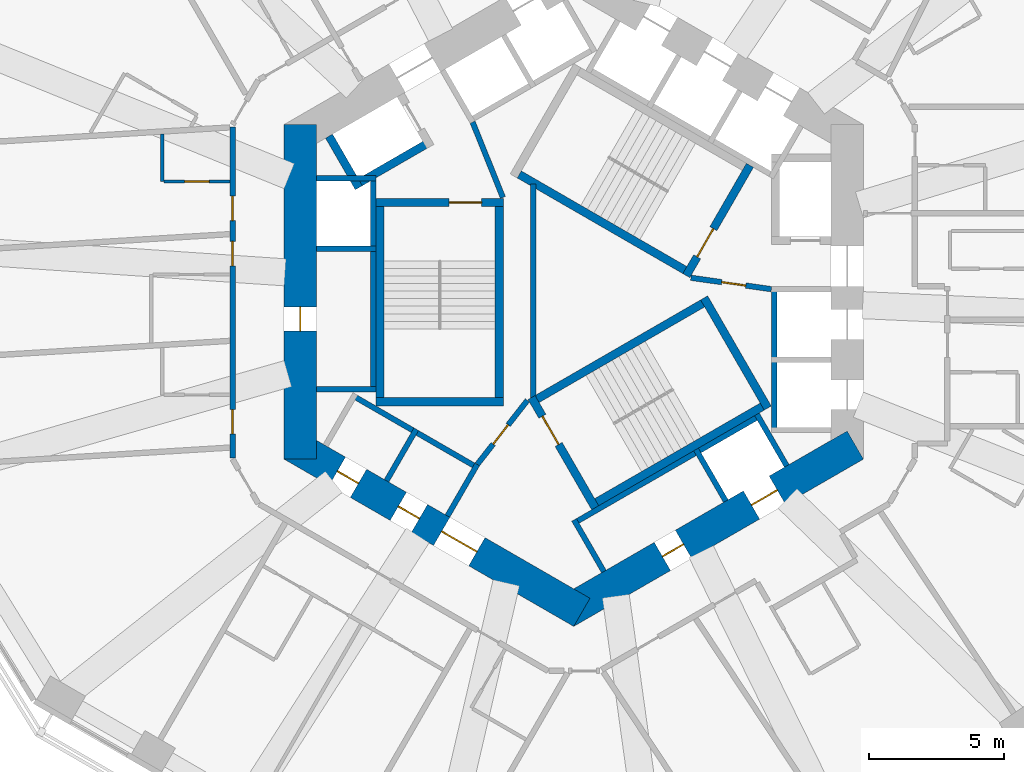
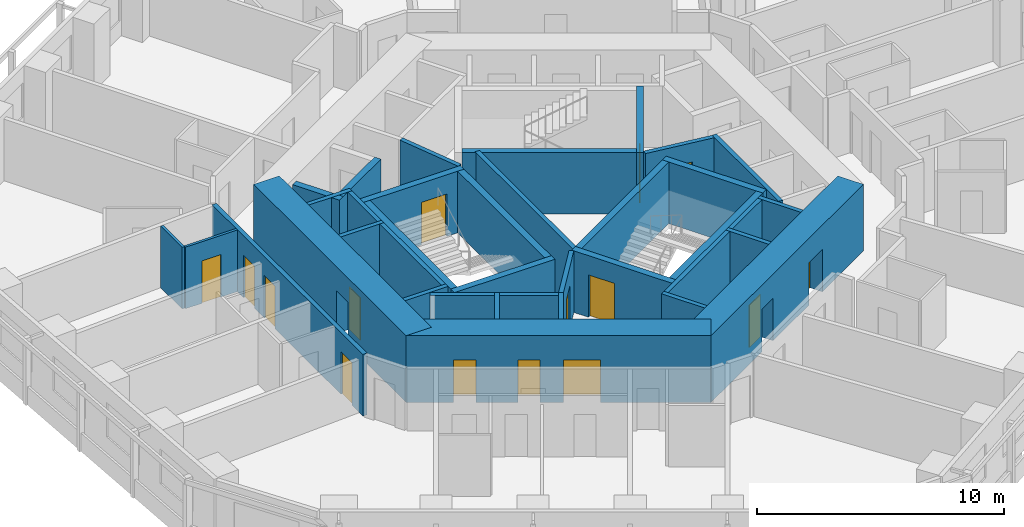
# One storey, part 5 of 12: 34 walls, 15 doors, 15 openings.
"""IFC4 building model written with IfcOpenShell, lengths in metres."""

from ifc_helpers import new_model, si_unit, direction, frame, frame_2d, origin, place, context, subcontext, project, spatial, rectangle, extrude, material, layer, layer_set, type_object, element, fill, save


model = new_model("IFC4")

# Units and contexts
model_context = context("Model", 3, precision=1e-05, world=origin(), true_north=direction((0.0, 1.0)))
body_context = subcontext(model_context, "Body", "Model", "MODEL_VIEW")
ifc_project = project(units=[si_unit("LENGTHUNIT", "METRE"), si_unit("AREAUNIT", "SQUARE_METRE"), si_unit("VOLUMEUNIT", "CUBIC_METRE"), si_unit("PLANEANGLEUNIT", "RADIAN"), si_unit("MASSUNIT", "GRAM", prefix="KILO")], contexts=[model_context])

# Site, building, storey
site_placement = place(None, origin())
site = spatial("IfcSite", under=ifc_project, at=site_placement, CompositionType="ELEMENT")
building_placement = place(site_placement, origin())
building = spatial("IfcBuilding", under=site, at=building_placement, Name="Vanh Sen Convention Tower", CompositionType="ELEMENT")
storey_placement = place(building_placement, frame((0.0, 0.0, 53.89990234375)))
storey = spatial("IfcBuildingStorey", under=building, at=storey_placement, Name="L10", CompositionType="ELEMENT", Elevation=53.89990234375)

# Wall
ifc_material_1 = material(Name="Moisture-resistant gypsum board on steel studs", Category="steel")
ifc_layer_1 = layer(ifc_material_1, 0.1201171875)
ifc_layer_set_1 = layer_set([ifc_layer_1], Name="Moisture-resistant gypsum board on steel studs")
wall_type_1 = type_object("IfcWallType", Name="Bathroom partition 120", PredefinedType="PARTITIONING", material=ifc_layer_set_1)
wall_1_placement = place(storey_placement, frame((-15.199951171875, 4.081298828125, 0.0), z_axis=(0.0, 0.0, 1.0), x_axis=(0.0, 1.0, 0.0)))
element("IfcWall", 1, at=wall_1_placement, inside=storey, type_object=wall_type_1, Name="Bathroom partition 120", PredefinedType="PARTITIONING", context=body_context, shape_type="SweptSolid", body=[
    extrude(rectangle(XDim=1.740966796875, YDim=0.1201171875, at=frame_2d((0.87060546875, 0.0))), origin(), (0.0, 0.0, 1.0), 3.050048828125),
])

# Wall, opening, door
wall_2_placement = place(storey_placement, frame((-12.699951171875, 4.081298828125, 0.0), z_axis=(0.0, 0.0, 1.0), x_axis=(-1.0, 0.0, 0.0)))
wall_2 = element("IfcWall", 2, at=wall_2_placement, inside=storey, type_object=wall_type_1, Name="Bathroom partition 120", PredefinedType="PARTITIONING", context=body_context, shape_type="SweptSolid", body=[
    extrude(rectangle(XDim=2.43994140625, YDim=0.1201171875, at=frame_2d((1.219970703125, 0.0))), origin(), (0.0, 0.0, 1.0), 3.050048828125),
])
opening_1_placement = place(wall_2_placement, frame((0.77001953125, 0.0, 0.0)))
opening_1 = element("IfcOpeningElement", 3, at=opening_1_placement, cuts=wall_2, Name="Opening D10121", PredefinedType="OPENING", context=body_context, shape_type="SweptSolid", body=[
    extrude(rectangle(XDim=0.89990234375, YDim=2.10009765625, at=frame_2d((0.449951171875, 1.050048828125))), frame((0.0, 0.070068359375, 0.0), z_axis=(0.0, -1.0, 0.0), x_axis=(1.0, 0.0, 0.0)), (0.0, 0.0, 1.0), 0.14013671875),
])
ifc_material_2 = material(Name="Laminate door in steel frame", Category="steel")
door_type_1 = type_object("IfcDoorType", Name="En-suite door 900", OperationType="SINGLE_SWING_LEFT", PredefinedType="DOOR", material=ifc_material_2)
door_1_placement = place(opening_1_placement, origin())
door_1 = element("IfcDoor", 4, at=door_1_placement, inside=storey, type_object=door_type_1, Name="En-suite door D10121", OperationType="SINGLE_SWING_LEFT", OverallHeight=2.10009765625, OverallWidth=0.89990234375, PredefinedType="DOOR", context=body_context, shape_type="SweptSolid", body=[
    extrude(rectangle(XDim=0.89990234375, YDim=2.10009765625, at=frame_2d((0.449951171875, 1.050048828125))), frame((0.0, 0.02490234375, 0.0), z_axis=(0.0, -1.0, 0.0), x_axis=(1.0, 0.0, 0.0)), (0.0, 0.0, 1.0), 0.050048828125),
])
fill(opening_1, door_1)

ifc_material_3 = material(Name="Concrete C80/95", Category="concrete")
ifc_layer_2 = layer(ifc_material_3, 1.199951171875)
ifc_layer_set_2 = layer_set([ifc_layer_2], Name="Concrete C80/95")
wall_type_2 = type_object("IfcWallType", Name="Core outer wall 1200 C80/95", PredefinedType="SHEAR", material=ifc_layer_set_2)
wall_3_placement = place(storey_placement, frame((-10.10009765625, 6.177490234375, 0.0), z_axis=(0.0, 0.0, 1.0), x_axis=(0.0, -1.0, 0.0)))
wall_3 = element("IfcWall", 5, at=wall_3_placement, inside=storey, type_object=wall_type_2, Name="Core wall face W L10", PredefinedType="SHEAR", context=body_context, shape_type="SweptSolid", body=[
    extrude(rectangle(XDim=12.35498046875, YDim=1.199951171875, at=frame_2d((6.177490234375, 0.0))), origin(), (0.0, 0.0, 1.0), 3.300048828125),
])
opening_2_placement = place(wall_3_placement, frame((6.7275390625, 0.0, 0.0)))
opening_2 = element("IfcOpeningElement", 6, at=opening_2_placement, cuts=wall_3, Name="Opening D10009", PredefinedType="OPENING", context=body_context, shape_type="SweptSolid", body=[
    extrude(rectangle(XDim=0.89990234375, YDim=2.10009765625, at=frame_2d((0.449951171875, 1.050048828125))), frame((0.0, 0.60986328125, 0.0), z_axis=(0.0, -1.0, 0.0), x_axis=(1.0, 0.0, 0.0)), (0.0, 0.0, 1.0), 1.219970703125),
])
ifc_material_4 = material(Name="Steel S355", Category="steel")
door_type_2 = type_object("IfcDoorType", Name="Plant door 900", OperationType="SINGLE_SWING_LEFT", PredefinedType="DOOR", material=ifc_material_4)
door_2_placement = place(opening_2_placement, origin())
door_2 = element("IfcDoor", 7, at=door_2_placement, inside=storey, type_object=door_type_2, Name="Plant door D10009", OperationType="SINGLE_SWING_LEFT", OverallHeight=2.10009765625, OverallWidth=0.89990234375, PredefinedType="DOOR", context=body_context, shape_type="SweptSolid", body=[
    extrude(rectangle(XDim=0.89990234375, YDim=2.10009765625, at=frame_2d((0.449951171875, 1.050048828125))), frame((0.0, 0.02490234375, 0.0), z_axis=(0.0, -1.0, 0.0), x_axis=(1.0, 0.0, 0.0)), (0.0, 0.0, 1.0), 0.050048828125),
])
fill(opening_2, door_2)

# Wall, openings, doors
wall_4_placement = place(storey_placement, frame((-10.39990234375, -5.657958984375, 0.0), z_axis=(0.0, 0.0, 1.0), x_axis=(0.866021384402, -0.500006961711, 0.0)))
wall_4 = element("IfcWall", 8, at=wall_4_placement, inside=storey, type_object=wall_type_2, Name="Core wall face SW L10", PredefinedType="SHEAR", context=body_context, shape_type="SweptSolid", body=[
    extrude(rectangle(XDim=12.355224609375, YDim=1.199951171875, at=frame_2d((6.177734375, 0.0))), origin(), (0.0, 0.0, 1.0), 3.300048828125),
])
opening_3_placement = place(wall_4_placement, frame((6.377685546875, 0.0, 0.0)))
opening_3 = element("IfcOpeningElement", 9, at=opening_3_placement, cuts=wall_4, Name="Opening D10003", PredefinedType="OPENING", context=body_context, shape_type="SweptSolid", body=[
    extrude(rectangle(XDim=1.5, YDim=2.10009765625, at=frame_2d((0.75, 1.050048828125))), frame((0.0, 0.60986328125, 0.0), z_axis=(0.0, -1.0, 0.0), x_axis=(1.0, 0.0, 0.0)), (0.0, 0.0, 1.0), 1.219970703125),
])
opening_4_placement = place(wall_4_placement, frame((1.927734375, 0.0, 0.0)))
opening_4 = element("IfcOpeningElement", 10, at=opening_4_placement, cuts=wall_4, Name="Opening D10010", PredefinedType="OPENING", context=body_context, shape_type="SweptSolid", body=[
    extrude(rectangle(XDim=0.89990234375, YDim=2.10009765625, at=frame_2d((0.449951171875, 1.050048828125))), frame((0.0, 0.60986328125, 0.0), z_axis=(0.0, -1.0, 0.0), x_axis=(1.0, 0.0, 0.0)), (0.0, 0.0, 1.0), 1.219970703125),
])
opening_5_placement = place(wall_4_placement, frame((4.527587890625, 0.0, 0.0)))
opening_5 = element("IfcOpeningElement", 11, at=opening_5_placement, cuts=wall_4, Name="Opening D10011", PredefinedType="OPENING", context=body_context, shape_type="SweptSolid", body=[
    extrude(rectangle(XDim=0.89990234375, YDim=2.10009765625, at=frame_2d((0.449951171875, 1.050048828125))), frame((0.0, 0.60986328125, 0.0), z_axis=(0.0, -1.0, 0.0), x_axis=(1.0, 0.0, 0.0)), (0.0, 0.0, 1.0), 1.219970703125),
])
door_3_placement = place(opening_4_placement, origin())
door_3 = element("IfcDoor", 12, at=door_3_placement, inside=storey, type_object=door_type_2, Name="Plant door D10010", OperationType="SINGLE_SWING_LEFT", OverallHeight=2.10009765625, OverallWidth=0.89990234375, PredefinedType="DOOR", context=body_context, shape_type="SweptSolid", body=[
    extrude(rectangle(XDim=0.89990234375, YDim=2.10009765625, at=frame_2d((0.449951171875, 1.050048828125))), frame((0.0, 0.02490234375, 0.0), z_axis=(0.0, -1.0, 0.0), x_axis=(1.0, 0.0, 0.0)), (0.0, 0.0, 1.0), 0.050048828125),
])
fill(opening_4, door_3)
door_4_placement = place(opening_5_placement, origin())
door_4 = element("IfcDoor", 13, at=door_4_placement, inside=storey, type_object=door_type_2, Name="Plant door D10011", OperationType="SINGLE_SWING_LEFT", OverallHeight=2.10009765625, OverallWidth=0.89990234375, PredefinedType="DOOR", context=body_context, shape_type="SweptSolid", body=[
    extrude(rectangle(XDim=0.89990234375, YDim=2.10009765625, at=frame_2d((0.449951171875, 1.050048828125))), frame((0.0, 0.02490234375, 0.0), z_axis=(0.0, -1.0, 0.0), x_axis=(1.0, 0.0, 0.0)), (0.0, 0.0, 1.0), 0.050048828125),
])
fill(opening_5, door_4)
door_type_3 = type_object("IfcDoorType", Name="Stair lobby door 1500", OperationType="DOUBLE_DOOR_SINGLE_SWING", PredefinedType="DOOR", material=ifc_material_4)
door_5_placement = place(opening_3_placement, origin())
door_5 = element("IfcDoor", 14, at=door_5_placement, inside=storey, type_object=door_type_3, Name="Stair lobby door D10003", OperationType="DOUBLE_DOOR_SINGLE_SWING", OverallHeight=2.10009765625, OverallWidth=1.5, PredefinedType="DOOR", context=body_context, shape_type="SweptSolid", body=[
    extrude(rectangle(XDim=1.5, YDim=2.10009765625, at=frame_2d((0.75, 1.050048828125))), frame((0.0, 0.02490234375, 0.0), z_axis=(0.0, -1.0, 0.0), x_axis=(1.0, 0.0, 0.0)), (0.0, 0.0, 1.0), 0.050048828125),
])
fill(opening_3, door_5)

wall_5_placement = place(storey_placement, frame((-0.300048828125, -11.835693359375, 0.0), z_axis=(0.0, 0.0, 1.0), x_axis=(0.866021384402, 0.500006961711, 0.0)))
wall_5 = element("IfcWall", 15, at=wall_5_placement, inside=storey, type_object=wall_type_2, Name="Core wall face SE L10", PredefinedType="SHEAR", context=body_context, shape_type="SweptSolid", body=[
    extrude(rectangle(XDim=12.355224609375, YDim=1.199951171875, at=frame_2d((6.177734375, 0.0))), origin(), (0.0, 0.0, 1.0), 3.300048828125),
])
opening_6_placement = place(wall_5_placement, frame((4.127685546875, 0.0, 0.0)))
opening_6 = element("IfcOpeningElement", 16, at=opening_6_placement, cuts=wall_5, Name="Opening D10012", PredefinedType="OPENING", context=body_context, shape_type="SweptSolid", body=[
    extrude(rectangle(XDim=0.89990234375, YDim=2.10009765625, at=frame_2d((0.449951171875, 1.050048828125))), frame((0.0, 0.60986328125, 0.0), z_axis=(0.0, -1.0, 0.0), x_axis=(1.0, 0.0, 0.0)), (0.0, 0.0, 1.0), 1.219970703125),
])
opening_7_placement = place(wall_5_placement, frame((7.927734375, 0.0, 0.0)))
opening_7 = element("IfcOpeningElement", 17, at=opening_7_placement, cuts=wall_5, Name="Opening LD-SV1", PredefinedType="OPENING", context=body_context, shape_type="SweptSolid", body=[
    extrude(rectangle(XDim=1.10009765625, YDim=2.10009765625, at=frame_2d((0.550048828125, 1.050048828125))), frame((0.0, 0.60986328125, 0.0), z_axis=(0.0, -1.0, 0.0), x_axis=(1.0, 0.0, 0.0)), (0.0, 0.0, 1.0), 1.219970703125),
])
ifc_material_5 = material(Name="Stainless steel", Category="steel")
door_type_4 = type_object("IfcDoorType", Name="Lift landing door 1100", OperationType="DOUBLE_DOOR_SLIDING", PredefinedType="DOOR", material=ifc_material_5)
door_6_placement = place(opening_7_placement, origin())
door_6 = element("IfcDoor", 18, at=door_6_placement, inside=storey, type_object=door_type_4, Name="Lift SV1 landing door LD-SV1", OperationType="DOUBLE_DOOR_SLIDING", OverallHeight=2.10009765625, OverallWidth=1.10009765625, PredefinedType="DOOR", context=body_context, shape_type="SweptSolid", body=[
    extrude(rectangle(XDim=1.10009765625, YDim=2.10009765625, at=frame_2d((0.550048828125, 1.050048828125))), frame((0.0, 0.02490234375, 0.0), z_axis=(0.0, -1.0, 0.0), x_axis=(1.0, 0.0, 0.0)), (0.0, 0.0, 1.0), 0.050048828125),
])
fill(opening_7, door_6)
door_7_placement = place(opening_6_placement, origin())
door_7 = element("IfcDoor", 19, at=door_7_placement, inside=storey, type_object=door_type_2, Name="Plant door D10012", OperationType="SINGLE_SWING_LEFT", OverallHeight=2.10009765625, OverallWidth=0.89990234375, PredefinedType="DOOR", context=body_context, shape_type="SweptSolid", body=[
    extrude(rectangle(XDim=0.89990234375, YDim=2.10009765625, at=frame_2d((0.449951171875, 1.050048828125))), frame((0.0, 0.02490234375, 0.0), z_axis=(0.0, -1.0, 0.0), x_axis=(1.0, 0.0, 0.0)), (0.0, 0.0, 1.0), 0.050048828125),
])
fill(opening_6, door_7)

# Wall
ifc_material_6 = material(Name="Masonry blockwork", Category="masonry")
ifc_layer_3 = layer(ifc_material_6, 0.199951171875)
ifc_layer_set_3 = layer_set([ifc_layer_3], Name="Masonry blockwork")
wall_type_3 = type_object("IfcWallType", Name="Core partition 200", PredefinedType="PARTITIONING", material=ifc_layer_set_3)
wall_6_placement = place(storey_placement, frame((-1.5, -3.98828125, 0.0), z_axis=(0.0, 0.0, 1.0), x_axis=(0.0, 1.0, 0.0)))
element("IfcWall", 20, at=wall_6_placement, inside=storey, type_object=wall_type_3, Name="Core partition L10", PredefinedType="PARTITIONING", context=body_context, shape_type="SweptSolid", body=[
    extrude(rectangle(XDim=7.9765625, YDim=0.199951171875, at=frame_2d((3.98828125, 0.0))), origin(), (0.0, 0.0, 1.0), 3.050048828125),
])

# Wall, openings, doors
ifc_material_7 = material(Name="Gypsum board on steel studs with mineral wool", Category="steel")
ifc_layer_4 = layer(ifc_material_7, 0.199951171875)
ifc_layer_set_4 = layer_set([ifc_layer_4], Name="Gypsum board on steel studs with mineral wool")
wall_type_4 = type_object("IfcWallType", Name="Corridor partition wall 200", PredefinedType="PARTITIONING", material=ifc_layer_set_4)
wall_7_placement = place(storey_placement, frame((-12.60009765625, 6.081298828125, 0.0), z_axis=(0.0, 0.0, 1.0), x_axis=(0.0, -1.0, 0.0)))
wall_7 = element("IfcWall", 21, at=wall_7_placement, inside=storey, type_object=wall_type_4, Name="Corridor partition wall 200", PredefinedType="PARTITIONING", context=body_context, shape_type="SweptSolid", body=[
    extrude(rectangle(XDim=12.218994140625, YDim=0.199951171875, at=frame_2d((6.109375, 0.0))), origin(), (0.0, 0.0, 1.0), 3.050048828125),
])
opening_8_placement = place(wall_7_placement, frame((2.5458984375, 0.0, 0.0)))
opening_8 = element("IfcOpeningElement", 22, at=opening_8_placement, cuts=wall_7, Name="Opening D10120", PredefinedType="OPENING", context=body_context, shape_type="SweptSolid", body=[
    extrude(rectangle(XDim=0.89990234375, YDim=2.10009765625, at=frame_2d((0.449951171875, 1.050048828125))), frame((0.0, 0.10986328125, 0.0), z_axis=(0.0, -1.0, 0.0), x_axis=(1.0, 0.0, 0.0)), (0.0, 0.0, 1.0), 0.219970703125),
])
opening_9_placement = place(wall_7_placement, frame((4.216796875, 0.0, 0.0)))
opening_9 = element("IfcOpeningElement", 23, at=opening_9_placement, cuts=wall_7, Name="Opening D10122", PredefinedType="OPENING", context=body_context, shape_type="SweptSolid", body=[
    extrude(rectangle(XDim=0.89990234375, YDim=2.10009765625, at=frame_2d((0.449951171875, 1.050048828125))), frame((0.0, 0.10986328125, 0.0), z_axis=(0.0, -1.0, 0.0), x_axis=(1.0, 0.0, 0.0)), (0.0, 0.0, 1.0), 0.219970703125),
])
opening_10_placement = place(wall_7_placement, frame((10.4296875, 0.0, 0.0)))
opening_10 = element("IfcOpeningElement", 24, at=opening_10_placement, cuts=wall_7, Name="Opening D10124", PredefinedType="OPENING", context=body_context, shape_type="SweptSolid", body=[
    extrude(rectangle(XDim=0.89990234375, YDim=2.10009765625, at=frame_2d((0.449951171875, 1.050048828125))), frame((0.0, 0.10986328125, 0.0), z_axis=(0.0, -1.0, 0.0), x_axis=(1.0, 0.0, 0.0)), (0.0, 0.0, 1.0), 0.219970703125),
])
ifc_material_8 = material(Name="Timber fire door in steel frame", Category="steel")
door_type_5 = type_object("IfcDoorType", Name="Guest room door 900", OperationType="SINGLE_SWING_LEFT", PredefinedType="DOOR", material=ifc_material_8)
door_8_placement = place(opening_8_placement, origin())
door_8 = element("IfcDoor", 25, at=door_8_placement, inside=storey, type_object=door_type_5, Name="Hotel guest room door D10120", OperationType="SINGLE_SWING_LEFT", OverallHeight=2.10009765625, OverallWidth=0.89990234375, PredefinedType="DOOR", context=body_context, shape_type="SweptSolid", body=[
    extrude(rectangle(XDim=0.89990234375, YDim=2.10009765625, at=frame_2d((0.449951171875, 1.050048828125))), frame((0.0, 0.02490234375, 0.0), z_axis=(0.0, -1.0, 0.0), x_axis=(1.0, 0.0, 0.0)), (0.0, 0.0, 1.0), 0.050048828125),
])
fill(opening_8, door_8)
door_9_placement = place(opening_9_placement, origin())
door_9 = element("IfcDoor", 26, at=door_9_placement, inside=storey, type_object=door_type_5, Name="Hotel guest room door D10122", OperationType="SINGLE_SWING_LEFT", OverallHeight=2.10009765625, OverallWidth=0.89990234375, PredefinedType="DOOR", context=body_context, shape_type="SweptSolid", body=[
    extrude(rectangle(XDim=0.89990234375, YDim=2.10009765625, at=frame_2d((0.449951171875, 1.050048828125))), frame((0.0, 0.02490234375, 0.0), z_axis=(0.0, -1.0, 0.0), x_axis=(1.0, 0.0, 0.0)), (0.0, 0.0, 1.0), 0.050048828125),
])
fill(opening_9, door_9)
door_10_placement = place(opening_10_placement, origin())
door_10 = element("IfcDoor", 27, at=door_10_placement, inside=storey, type_object=door_type_5, Name="Hotel guest room door D10124", OperationType="SINGLE_SWING_LEFT", OverallHeight=2.10009765625, OverallWidth=0.89990234375, PredefinedType="DOOR", context=body_context, shape_type="SweptSolid", body=[
    extrude(rectangle(XDim=0.89990234375, YDim=2.10009765625, at=frame_2d((0.449951171875, 1.050048828125))), frame((0.0, 0.02490234375, 0.0), z_axis=(0.0, -1.0, 0.0), x_axis=(1.0, 0.0, 0.0)), (0.0, 0.0, 1.0), 0.050048828125),
])
fill(opening_10, door_10)

# Walls
ifc_material_9 = material(Name="Concrete C60/75", Category="concrete")
ifc_layer_5 = layer(ifc_material_9, 0.300048828125)
ifc_layer_set_5 = layer_set([ifc_layer_5], Name="Concrete C60/75")
wall_type_5 = type_object("IfcWallType", Name="Fire-fighting lift shaft wall 300", PredefinedType="SHEAR", material=ifc_layer_set_5)
wall_8_placement = place(storey_placement, frame((-5.240478515625, 5.576904296875, 0.0), z_axis=(0.0, 0.0, 1.0), x_axis=(-0.866014461049, -0.500018952895, 0.0)))
element("IfcWall", 28, at=wall_8_placement, inside=storey, type_object=wall_type_5, Name="Fire-fighting lift shaft wall L10", PredefinedType="SHEAR", context=body_context, shape_type="SweptSolid", body=[
    extrude(rectangle(XDim=3.349853515625, YDim=0.300048828125, at=frame_2d((1.6748046875, 0.0))), origin(), (0.0, 0.0, 1.0), 3.050048828125),
])
wall_9_placement = place(storey_placement, frame((-7.936767578125, 3.846923828125, 0.0), z_axis=(0.0, 0.0, 1.0), x_axis=(-0.50002983664, 0.866008176907, 0.0)))
element("IfcWall", 29, at=wall_9_placement, inside=storey, type_object=wall_type_5, Name="Fire-fighting lift shaft wall L10", PredefinedType="SHEAR", context=body_context, shape_type="SweptSolid", body=[
    extrude(rectangle(XDim=2.199951171875, YDim=0.300048828125, at=frame_2d((1.10009765625, 0.0))), origin(), (0.0, 0.0, 1.0), 3.050048828125),
])
ifc_material_10 = material(Name="Concrete C40/50", Category="concrete")
ifc_layer_6 = layer(ifc_material_10, 0.199951171875)
ifc_layer_set_6 = layer_set([ifc_layer_6], Name="Concrete C40/50")
wall_type_6 = type_object("IfcWallType", Name="Lift shaft wall 200", PredefinedType="PARTITIONING", material=ifc_layer_set_6)
wall_10_placement = place(storey_placement, frame((7.39990234375, -5.199951171875, 0.0), z_axis=(0.0, 0.0, 1.0), x_axis=(0.0, 1.0, 0.0)))
element("IfcWall", 30, at=wall_10_placement, inside=storey, type_object=wall_type_6, Name="Lift shaft wall L10", PredefinedType="PARTITIONING", context=body_context, shape_type="SweptSolid", body=[
    extrude(rectangle(XDim=5.39990234375, YDim=0.199951171875, at=frame_2d((2.699951171875, 0.0))), origin(), (0.0, 0.0, 1.0), 3.050048828125),
])
wall_11_placement = place(storey_placement, frame((-7.39990234375, 4.300048828125, 0.0), z_axis=(0.0, 0.0, 1.0), x_axis=(0.0, -1.0, 0.0)))
element("IfcWall", 31, at=wall_11_placement, inside=storey, type_object=wall_type_6, Name="Lift shaft wall L10", PredefinedType="PARTITIONING", context=body_context, shape_type="SweptSolid", body=[
    extrude(rectangle(XDim=8.0, YDim=0.199951171875, at=frame_2d((4.0, 0.0))), origin(), (0.0, 0.0, 1.0), 3.050048828125),
])
for number, where, z_axis, x_axis, name in (
    (32, (-7.300048828125, 4.199951171875, 0.0), (0.0, 0.0, 1.0), (-1.0, 0.0, 0.0), "Lift shaft wall L10"),
    (33, (-7.300048828125, 1.60009765625, 0.0), (0.0, 0.0, 1.0), (-1.0, 0.0, 0.0), "Lift shaft wall L10"),
    (34, (-7.300048828125, -3.60009765625, 0.0), (0.0, 0.0, 1.0), (-1.0, 0.0, 0.0), "Lift shaft wall L10"),
):
    element("IfcWall", number, at=place(storey_placement, frame(where, z_axis=z_axis, x_axis=x_axis)), inside=storey, type_object=wall_type_6, Name=name, PredefinedType="PARTITIONING", context=body_context, shape_type="SweptSolid", body=[
        extrude(rectangle(XDim=2.199951171875, YDim=0.199951171875, at=frame_2d((1.10009765625, 0.0))), origin(), (0.0, 0.0, 1.0), 3.050048828125),
    ])
wall_12_placement = place(storey_placement, frame((-8.203369140625, -3.80859375, 0.0), z_axis=(0.0, 0.0, 1.0), x_axis=(0.866028230842, -0.499995103361, 0.0)))
element("IfcWall", 35, at=wall_12_placement, inside=storey, type_object=wall_type_6, Name="Lift shaft wall L10", PredefinedType="PARTITIONING", context=body_context, shape_type="SweptSolid", body=[
    extrude(rectangle(XDim=5.39990234375, YDim=0.199951171875, at=frame_2d((2.699951171875, 0.0))), origin(), (0.0, 0.0, 1.0), 3.050048828125),
])
wall_13_placement = place(storey_placement, frame((-5.815185546875, -5.072021484375, 0.0), z_axis=(0.0, 0.0, 1.0), x_axis=(-0.499946605688, -0.86605622881, 0.0)))
element("IfcWall", 36, at=wall_13_placement, inside=storey, type_object=wall_type_6, Name="Lift shaft wall L10", PredefinedType="PARTITIONING", context=body_context, shape_type="SweptSolid", body=[
    extrude(rectangle(XDim=2.199951171875, YDim=0.199951171875, at=frame_2d((1.10009765625, 0.0))), origin(), (0.0, 0.0, 1.0), 3.050048828125),
])
wall_14_placement = place(storey_placement, frame((-3.5634765625, -6.3720703125, 0.0), z_axis=(0.0, 0.0, 1.0), x_axis=(-0.499994660107, -0.866028486751, 0.0)))
element("IfcWall", 37, at=wall_14_placement, inside=storey, type_object=wall_type_6, Name="Lift shaft wall L10", PredefinedType="PARTITIONING", context=body_context, shape_type="SweptSolid", body=[
    extrude(rectangle(XDim=2.19970703125, YDim=0.199951171875, at=frame_2d((1.099853515625, 0.0))), origin(), (0.0, 0.0, 1.0), 3.050048828125),
])
wall_15_placement = place(storey_placement, frame((-0.02392578125, -8.55859375, 0.0), z_axis=(0.0, 0.0, 1.0), x_axis=(0.866026010844, 0.49999894854, 0.0)))
element("IfcWall", 38, at=wall_15_placement, inside=storey, type_object=wall_type_6, Name="Lift shaft wall L10", PredefinedType="PARTITIONING", context=body_context, shape_type="SweptSolid", body=[
    extrude(rectangle(XDim=8.0, YDim=0.199951171875, at=frame_2d((4.0, 0.0))), origin(), (0.0, 0.0, 1.0), 3.050048828125),
])
for number, where, z_axis, x_axis, name in (
    (39, (0.0126953125, -8.422119140625, 0.0), (0.0, 0.0, 1.0), (0.500077893725, -0.86598042715, 0.0), "Lift shaft wall L10"),
    (40, (4.51611328125, -5.822021484375, 0.0), (0.0, 0.0, 1.0), (0.499946605688, -0.86605622881, 0.0), "Lift shaft wall L10"),
    (41, (6.767578125, -4.52197265625, 0.0), (0.0, 0.0, 1.0), (0.50002983664, -0.866008176907, 0.0), "Lift shaft wall L10"),
):
    element("IfcWall", number, at=place(storey_placement, frame(where, z_axis=z_axis, x_axis=x_axis)), inside=storey, type_object=wall_type_6, Name=name, PredefinedType="PARTITIONING", context=body_context, shape_type="SweptSolid", body=[
        extrude(rectangle(XDim=2.199951171875, YDim=0.199951171875, at=frame_2d((1.10009765625, 0.0))), origin(), (0.0, 0.0, 1.0), 3.050048828125),
    ])

# Wall, opening, door
ifc_layer_7 = layer(ifc_material_10, 0.199951171875)
ifc_layer_set_7 = layer_set([ifc_layer_7], Name="Concrete C40/50")
wall_type_7 = type_object("IfcWallType", Name="Stair lobby wall 200", PredefinedType="PARTITIONING", material=ifc_layer_set_7)
wall_16_placement = place(storey_placement, frame((4.327392578125, 0.52099609375, 0.0), z_axis=(0.0, 0.0, 1.0), x_axis=(0.990124376366, -0.14019172346, 0.0)))
wall_16 = element("IfcWall", 42, at=wall_16_placement, inside=storey, type_object=wall_type_7, Name="Stair lobby wall L10", PredefinedType="PARTITIONING", context=body_context, shape_type="SweptSolid", body=[
    extrude(rectangle(XDim=3.002197265625, YDim=0.199951171875, at=frame_2d((1.5009765625, 0.0))), origin(), (0.0, 0.0, 1.0), 3.050048828125),
])
opening_11_placement = place(wall_16_placement, frame((1.14990234375, 0.0, 0.0)))
opening_11 = element("IfcOpeningElement", 43, at=opening_11_placement, cuts=wall_16, Name="Opening D10007", PredefinedType="OPENING", context=body_context, shape_type="SweptSolid", body=[
    extrude(rectangle(XDim=0.89990234375, YDim=2.10009765625, at=frame_2d((0.449951171875, 1.050048828125))), frame((0.0, 0.10986328125, 0.0), z_axis=(0.0, -1.0, 0.0), x_axis=(1.0, 0.0, 0.0)), (0.0, 0.0, 1.0), 0.219970703125),
])
door_11_placement = place(opening_11_placement, origin())
door_11 = element("IfcDoor", 44, at=door_11_placement, inside=storey, type_object=door_type_2, Name="Plant door D10007", OperationType="SINGLE_SWING_LEFT", OverallHeight=2.10009765625, OverallWidth=0.89990234375, PredefinedType="DOOR", context=body_context, shape_type="SweptSolid", body=[
    extrude(rectangle(XDim=0.89990234375, YDim=2.10009765625, at=frame_2d((0.449951171875, 1.050048828125))), frame((0.0, 0.02490234375, 0.0), z_axis=(0.0, -1.0, 0.0), x_axis=(1.0, 0.0, 0.0)), (0.0, 0.0, 1.0), 0.050048828125),
])
fill(opening_11, door_11)

# Wall
wall_17_placement = place(storey_placement, frame((-2.614990234375, 3.487060546875, 0.0), z_axis=(0.0, 0.0, 1.0), x_axis=(-0.373576831041, 0.92759924068, 0.0)))
element("IfcWall", 45, at=wall_17_placement, inside=storey, type_object=wall_type_7, Name="Stair lobby wall L10", PredefinedType="PARTITIONING", context=body_context, shape_type="SweptSolid", body=[
    extrude(rectangle(XDim=3.002197265625, YDim=0.199951171875, at=frame_2d((1.5009765625, 0.0))), origin(), (0.0, 0.0, 1.0), 3.050048828125),
])

# Wall, opening, door
wall_18_placement = place(storey_placement, frame((-1.71240234375, -4.00830078125, 0.0), z_axis=(0.0, 0.0, 1.0), x_axis=(-0.616549420702, -0.787316208287, 0.0)))
wall_18 = element("IfcWall", 46, at=wall_18_placement, inside=storey, type_object=wall_type_7, Name="Stair lobby wall L10", PredefinedType="PARTITIONING", context=body_context, shape_type="SweptSolid", body=[
    extrude(rectangle(XDim=3.002197265625, YDim=0.199951171875, at=frame_2d((1.5009765625, 0.0))), origin(), (0.0, 0.0, 1.0), 3.050048828125),
])
opening_12_placement = place(wall_18_placement, frame((1.14990234375, 0.0, 0.0)))
opening_12 = element("IfcOpeningElement", 47, at=opening_12_placement, cuts=wall_18, Name="Opening D10008", PredefinedType="OPENING", context=body_context, shape_type="SweptSolid", body=[
    extrude(rectangle(XDim=0.89990234375, YDim=2.10009765625, at=frame_2d((0.449951171875, 1.050048828125))), frame((0.0, 0.10986328125, 0.0), z_axis=(0.0, -1.0, 0.0), x_axis=(1.0, 0.0, 0.0)), (0.0, 0.0, 1.0), 0.219970703125),
])
door_12_placement = place(opening_12_placement, origin())
door_12 = element("IfcDoor", 48, at=door_12_placement, inside=storey, type_object=door_type_2, Name="Plant door D10008", OperationType="SINGLE_SWING_LEFT", OverallHeight=2.10009765625, OverallWidth=0.89990234375, PredefinedType="DOOR", context=body_context, shape_type="SweptSolid", body=[
    extrude(rectangle(XDim=0.89990234375, YDim=2.10009765625, at=frame_2d((0.449951171875, 1.050048828125))), frame((0.0, 0.02490234375, 0.0), z_axis=(0.0, -1.0, 0.0), x_axis=(1.0, 0.0, 0.0)), (0.0, 0.0, 1.0), 0.050048828125),
])
fill(opening_12, door_12)

ifc_layer_8 = layer(ifc_material_9, 0.300048828125)
ifc_layer_set_8 = layer_set([ifc_layer_8], Name="Concrete C60/75")
wall_type_8 = type_object("IfcWallType", Name="Stair wall 300", PredefinedType="SHEAR", material=ifc_layer_set_8)
wall_19_placement = place(storey_placement, frame((4.157958984375, 0.601806640625, 0.0), z_axis=(0.0, 0.0, 1.0), x_axis=(0.499977259774, 0.866038532462, 0.0)))
wall_19 = element("IfcWall", 49, at=wall_19_placement, inside=storey, type_object=wall_type_8, Name="Stair wall L10", PredefinedType="SHEAR", context=body_context, shape_type="SweptSolid", body=[
    extrude(rectangle(XDim=4.699951171875, YDim=0.300048828125, at=frame_2d((2.35009765625, 0.0))), origin(), (0.0, 0.0, 1.0), 3.050048828125),
])
opening_13_placement = place(wall_19_placement, frame((0.800048828125, 0.0, 0.0)))
opening_13 = element("IfcOpeningElement", 50, at=opening_13_placement, cuts=wall_19, Name="Opening D10004", PredefinedType="OPENING", context=body_context, shape_type="SweptSolid", body=[
    extrude(rectangle(XDim=1.199951171875, YDim=2.10009765625, at=frame_2d((0.60009765625, 1.050048828125))), frame((0.0, 0.159912109375, 0.0), z_axis=(0.0, -1.0, 0.0), x_axis=(1.0, 0.0, 0.0)), (0.0, 0.0, 1.0), 0.320068359375),
])
door_type_6 = type_object("IfcDoorType", Name="Stair door 1200", OperationType="SINGLE_SWING_RIGHT", PredefinedType="DOOR", material=ifc_material_4)
door_13_placement = place(opening_13_placement, origin())
door_13 = element("IfcDoor", 51, at=door_13_placement, inside=storey, type_object=door_type_6, Name="Stair ST1 door D10004", OperationType="SINGLE_SWING_RIGHT", OverallHeight=2.10009765625, OverallWidth=1.199951171875, PredefinedType="DOOR", context=body_context, shape_type="SweptSolid", body=[
    extrude(rectangle(XDim=1.199951171875, YDim=2.10009765625, at=frame_2d((0.60009765625, 1.050048828125))), frame((0.0, 0.02490234375, 0.0), z_axis=(0.0, -1.0, 0.0), x_axis=(1.0, 0.0, 0.0)), (0.0, 0.0, 1.0), 0.050048828125),
])
fill(opening_13, door_13)

# Wall
wall_20_placement = place(storey_placement, frame((4.10302734375, 0.806640625, 0.0), z_axis=(0.0, 0.0, 1.0), x_axis=(-0.866027801685, 0.499995846692, 0.0)))
element("IfcWall", 52, at=wall_20_placement, inside=storey, type_object=wall_type_8, Name="Stair wall L10", PredefinedType="SHEAR", context=body_context, shape_type="SweptSolid", body=[
    extrude(rectangle(XDim=7.06005859375, YDim=0.300048828125, at=frame_2d((3.530029296875, 0.0))), origin(), (0.0, 0.0, 1.0), 3.050048828125),
])

# Wall, opening, door
wall_21_placement = place(storey_placement, frame((-2.60009765625, 3.300048828125, 0.0), z_axis=(0.0, 0.0, 1.0), x_axis=(-1.0, 0.0, 0.0)))
wall_21 = element("IfcWall", 53, at=wall_21_placement, inside=storey, type_object=wall_type_8, Name="Stair wall L10", PredefinedType="SHEAR", context=body_context, shape_type="SweptSolid", body=[
    extrude(rectangle(XDim=4.699951171875, YDim=0.300048828125, at=frame_2d((2.35009765625, 0.0))), origin(), (0.0, 0.0, 1.0), 3.050048828125),
])
opening_14_placement = place(wall_21_placement, frame((0.800048828125, 0.0, 0.0)))
opening_14 = element("IfcOpeningElement", 54, at=opening_14_placement, cuts=wall_21, Name="Opening D10005", PredefinedType="OPENING", context=body_context, shape_type="SweptSolid", body=[
    extrude(rectangle(XDim=1.199951171875, YDim=2.10009765625, at=frame_2d((0.60009765625, 1.050048828125))), frame((0.0, 0.159912109375, 0.0), z_axis=(0.0, -1.0, 0.0), x_axis=(1.0, 0.0, 0.0)), (0.0, 0.0, 1.0), 0.320068359375),
])
door_14_placement = place(opening_14_placement, origin())
door_14 = element("IfcDoor", 55, at=door_14_placement, inside=storey, type_object=door_type_6, Name="Stair ST2 door D10005", OperationType="SINGLE_SWING_RIGHT", OverallHeight=2.10009765625, OverallWidth=1.199951171875, PredefinedType="DOOR", context=body_context, shape_type="SweptSolid", body=[
    extrude(rectangle(XDim=1.199951171875, YDim=2.10009765625, at=frame_2d((0.60009765625, 1.050048828125))), frame((0.0, 0.02490234375, 0.0), z_axis=(0.0, -1.0, 0.0), x_axis=(1.0, 0.0, 0.0)), (0.0, 0.0, 1.0), 0.050048828125),
])
fill(opening_14, door_14)

# Walls
wall_22_placement = place(storey_placement, frame((-2.60009765625, -4.06005859375, 0.0), z_axis=(0.0, 0.0, 1.0), x_axis=(-1.0, 0.0, 0.0)))
element("IfcWall", 56, at=wall_22_placement, inside=storey, type_object=wall_type_8, Name="Stair wall L10", PredefinedType="SHEAR", context=body_context, shape_type="SweptSolid", body=[
    extrude(rectangle(XDim=4.699951171875, YDim=0.300048828125, at=frame_2d((2.35009765625, 0.0))), origin(), (0.0, 0.0, 1.0), 3.050048828125),
])
for number, where, z_axis, x_axis, name in (
    (57, (-2.75, 3.14990234375, 0.0), (0.0, 0.0, 1.0), (0.0, -1.0, 0.0), "Stair wall L10"),
    (58, (-7.14990234375, 3.14990234375, 0.0), (0.0, 0.0, 1.0), (0.0, -1.0, 0.0), "Stair wall L10"),
):
    element("IfcWall", number, at=place(storey_placement, frame(where, z_axis=z_axis, x_axis=x_axis)), inside=storey, type_object=wall_type_8, Name=name, PredefinedType="SHEAR", context=body_context, shape_type="SweptSolid", body=[
        extrude(rectangle(XDim=7.059814453125, YDim=0.300048828125, at=frame_2d((3.52978515625, 0.0))), origin(), (0.0, 0.0, 1.0), 3.050048828125),
    ])

# Wall, opening, door
wall_23_placement = place(storey_placement, frame((-1.557861328125, -3.901611328125, 0.0), z_axis=(0.0, 0.0, 1.0), x_axis=(0.499977259774, -0.866038532462, 0.0)))
wall_23 = element("IfcWall", 59, at=wall_23_placement, inside=storey, type_object=wall_type_8, Name="Stair wall L10", PredefinedType="SHEAR", context=body_context, shape_type="SweptSolid", body=[
    extrude(rectangle(XDim=4.699951171875, YDim=0.300048828125, at=frame_2d((2.35009765625, 0.0))), origin(), (0.0, 0.0, 1.0), 3.050048828125),
])
opening_15_placement = place(wall_23_placement, frame((0.800048828125, 0.0, 0.0)))
opening_15 = element("IfcOpeningElement", 60, at=opening_15_placement, cuts=wall_23, Name="Opening D10006", PredefinedType="OPENING", context=body_context, shape_type="SweptSolid", body=[
    extrude(rectangle(XDim=1.199951171875, YDim=2.10009765625, at=frame_2d((0.60009765625, 1.050048828125))), frame((0.0, 0.159912109375, 0.0), z_axis=(0.0, -1.0, 0.0), x_axis=(1.0, 0.0, 0.0)), (0.0, 0.0, 1.0), 0.320068359375),
])
door_15_placement = place(opening_15_placement, origin())
door_15 = element("IfcDoor", 61, at=door_15_placement, inside=storey, type_object=door_type_6, Name="Stair ST3 door D10006", OperationType="SINGLE_SWING_RIGHT", OverallHeight=2.10009765625, OverallWidth=1.199951171875, PredefinedType="DOOR", context=body_context, shape_type="SweptSolid", body=[
    extrude(rectangle(XDim=1.199951171875, YDim=2.10009765625, at=frame_2d((0.60009765625, 1.050048828125))), frame((0.0, 0.02490234375, 0.0), z_axis=(0.0, -1.0, 0.0), x_axis=(1.0, 0.0, 0.0)), (0.0, 0.0, 1.0), 0.050048828125),
])
fill(opening_15, door_15)

# Walls
wall_24_placement = place(storey_placement, frame((4.816162109375, -0.2216796875, 0.0), z_axis=(0.0, 0.0, 1.0), x_axis=(0.499977259774, -0.866038532462, 0.0)))
element("IfcWall", 62, at=wall_24_placement, inside=storey, type_object=wall_type_8, Name="Stair wall L10", PredefinedType="SHEAR", context=body_context, shape_type="SweptSolid", body=[
    extrude(rectangle(XDim=4.699951171875, YDim=0.300048828125, at=frame_2d((2.35009765625, 0.0))), origin(), (0.0, 0.0, 1.0), 3.050048828125),
])
for number, where, z_axis, x_axis, name in (
    (63, (-1.35302734375, -3.95654296875, 0.0), (0.0, 0.0, 1.0), (0.866027801685, 0.499995846692, 0.0), "Stair wall L10"),
    (64, (0.846923828125, -7.76708984375, 0.0), (0.0, 0.0, 1.0), (0.866027801685, 0.499995846692, 0.0), "Stair wall L10"),
):
    element("IfcWall", number, at=place(storey_placement, frame(where, z_axis=z_axis, x_axis=x_axis)), inside=storey, type_object=wall_type_8, Name=name, PredefinedType="SHEAR", context=body_context, shape_type="SweptSolid", body=[
        extrude(rectangle(XDim=7.06005859375, YDim=0.300048828125, at=frame_2d((3.530029296875, 0.0))), origin(), (0.0, 0.0, 1.0), 3.050048828125),
    ])

save(model, "model.ifc")
